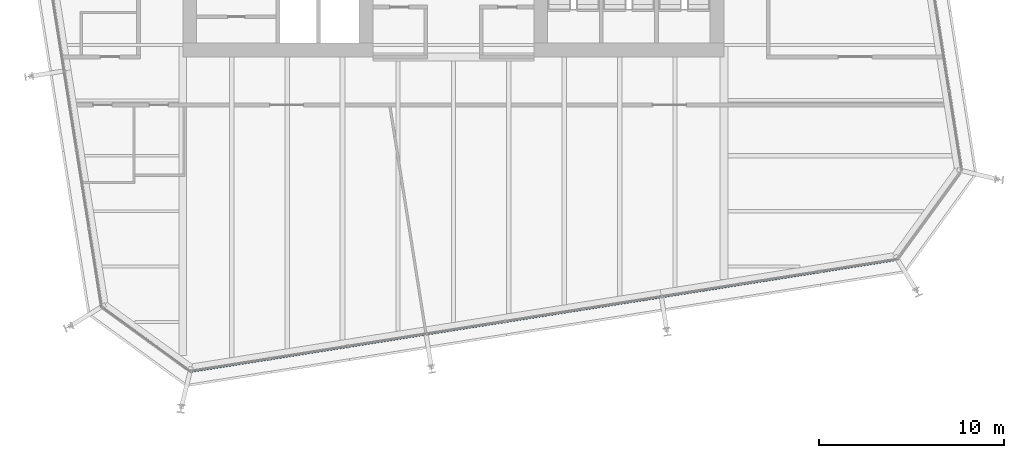
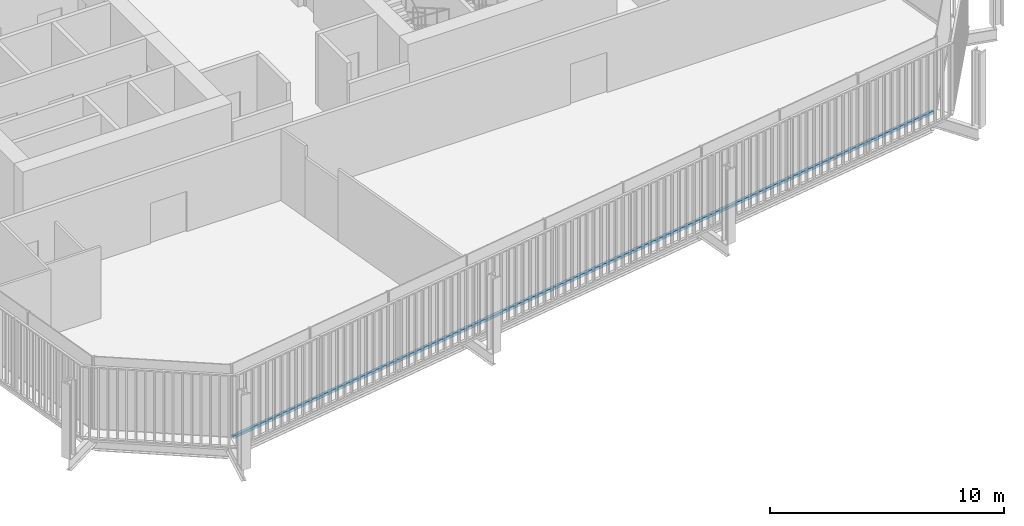
# One storey, part 7 of 21: 1 member, 1 element without a shape of its own.
"""IFC4 building model written with IfcOpenShell, lengths in metres."""

from ifc_helpers import new_model, si_unit, direction, frame, origin, origin_2d, place, context, subcontext, project, spatial, rectangle, extrude, material, layer, layer_set, material_profile, profile_set, type_object, element, aggregate, save


model = new_model("IFC4")

# Units and contexts
model_context = context("Model", 3, precision=1e-05, world=origin(), true_north=direction((0.0, 1.0)))
body_context = subcontext(model_context, "Body", "Model", "MODEL_VIEW")
ifc_project = project(units=[si_unit("LENGTHUNIT", "METRE"), si_unit("AREAUNIT", "SQUARE_METRE"), si_unit("VOLUMEUNIT", "CUBIC_METRE"), si_unit("PLANEANGLEUNIT", "RADIAN"), si_unit("MASSUNIT", "GRAM", prefix="KILO")], contexts=[model_context])

# Site, building, storey
site_placement = place(None, origin())
site = spatial("IfcSite", under=ifc_project, at=site_placement, CompositionType="ELEMENT")
building_placement = place(site_placement, origin())
building = spatial("IfcBuilding", under=site, at=building_placement, Name="Millrace Tower", CompositionType="ELEMENT")
storey_placement = place(building_placement, frame((0.0, 0.0, 156.800048828125)))
storey = spatial("IfcBuildingStorey", under=building, at=storey_placement, Name="L35", CompositionType="ELEMENT", Elevation=156.800048828125)

# Curtain wall, member
ifc_material_1 = material(Name="Aluminium and glass", Category="aluminium")
ifc_layer = layer(ifc_material_1, 0.14990234375)
ifc_layer_set = layer_set([ifc_layer], Name="Aluminium and glass")
curtain_wall_type = type_object("IfcCurtainWallType", Name="CW-1 office vision curtain wall", PredefinedType="NOTDEFINED", material=ifc_layer_set)
curtain_wall_placement = place(storey_placement, origin())
curtain_wall = element("IfcCurtainWall", 1, at=curtain_wall_placement, inside=storey, type_object=curtain_wall_type, Name="Curtain wall C-F02 L35", PredefinedType="NOTDEFINED")
ifc_material_2 = material(Name="Aluminium", Category="aluminium")
ifc_material_profile = material_profile(ifc_material_2, rectangle(XDim=0.14990234375, YDim=0.139892578125, at=origin_2d()))
ifc_profile_set = profile_set([ifc_material_profile], Name="Aluminium")
member_type = type_object("IfcMemberType", Name="CW-1 office vision curtain wall transom", PredefinedType="USERDEFINED", material=ifc_profile_set)
member_placement = place(storey_placement, frame((-14.125, -26.64599609375, 0.070068359375), z_axis=(0.987688350509, 0.156434402447, 0.0), x_axis=(-0.156434402447, 0.987688350509, 0.0)))
member = element("IfcMember", 2, at=member_placement, type_object=member_type, Name="CW1 transom C-F02.1", ObjectType="TRANSOM", PredefinedType="USERDEFINED", context=body_context, shape_type="SweptSolid", body=[
    extrude(rectangle(XDim=0.14990234375, YDim=0.139892578125, at=origin_2d()), origin(), (0.0, 0.0, 1.0), 38.499755859375),
])
aggregate(curtain_wall, [member])

save(model, "model.ifc")
